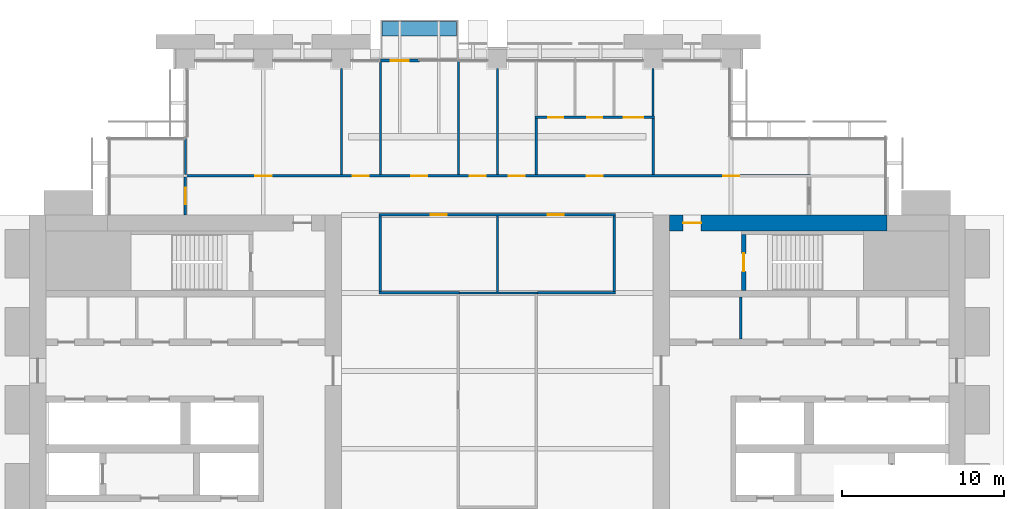
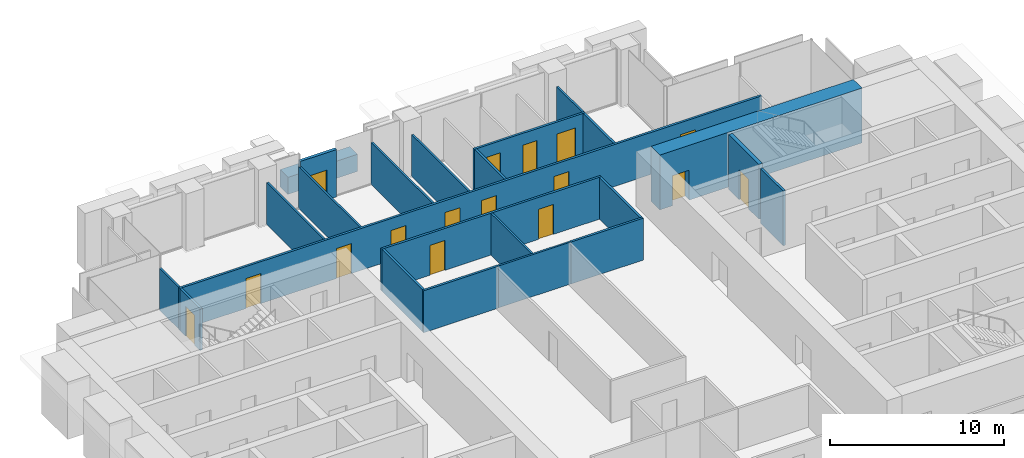
# One storey, part 12 of 15: 23 walls, 16 doors, 16 openings.
"""IFC4 building model written with IfcOpenShell, lengths in metres."""

from ifc_helpers import new_model, si_unit, direction, frame, frame_2d, origin, place, context, subcontext, project, spatial, rectangle, extrude, material, layer, layer_set, type_object, element, fill, save


model = new_model("IFC4")

# Units and contexts
model_context = context("Model", 3, precision=1e-05, world=origin(), true_north=direction((0.0, 1.0)))
body_context = subcontext(model_context, "Body", "Model", "MODEL_VIEW")
ifc_project = project(units=[si_unit("LENGTHUNIT", "METRE"), si_unit("AREAUNIT", "SQUARE_METRE"), si_unit("VOLUMEUNIT", "CUBIC_METRE"), si_unit("PLANEANGLEUNIT", "RADIAN"), si_unit("MASSUNIT", "GRAM", prefix="KILO")], contexts=[model_context])

# Site, building, storey
site_placement = place(None, origin())
site = spatial("IfcSite", under=ifc_project, at=site_placement, CompositionType="ELEMENT")
building_placement = place(site_placement, origin())
building = spatial("IfcBuilding", under=site, at=building_placement, Name="Baori Bourse Tower", CompositionType="ELEMENT")
storey_placement = place(building_placement, frame((0.0, 0.0, 104.10009765625)))
storey = spatial("IfcBuildingStorey", under=building, at=storey_placement, Name="L21", CompositionType="ELEMENT", Elevation=104.10009765625)

# Wall
ifc_material_1 = material(Name="Blockwork partition", Category="masonry")
ifc_layer_1 = layer(ifc_material_1, 0.14990234375)
ifc_layer_set_1 = layer_set([ifc_layer_1], Name="Core partition 150")
wall_type_1 = type_object("IfcWallType", Name="Core partition 150", PredefinedType="PARTITIONING", material=ifc_layer_set_1)
wall_1_placement = place(storey_placement, frame((43.800048828125, 30.75, 0.0), z_axis=(0.0, 0.0, 1.0), x_axis=(0.0, 1.0, 0.0)))
element("IfcWall", 1, at=wall_1_placement, inside=storey, type_object=wall_type_1, Name="Partition wall E25", PredefinedType="PARTITIONING", context=body_context, shape_type="SweptSolid", body=[
    extrude(rectangle(XDim=2.60009765625, YDim=0.14990234375, at=frame_2d((1.300048828125, 0.0))), origin(), (0.0, 0.0, 1.0), 3.83984375),
])

# Wall, opening, door
ifc_material_2 = material(Name="Concrete f'c 60 MPa", Category="concrete")
ifc_layer_2 = layer(ifc_material_2, 1.0)
ifc_layer_set_2 = layer_set([ifc_layer_2], Name="Core wall 1000 f'c 60")
wall_type_2 = type_object("IfcWallType", Name="Core wall 1000 f'c 60", PredefinedType="SHEAR", material=ifc_layer_set_2)
wall_2_placement = place(storey_placement, frame((39.39990234375, 37.89990234375, 0.0), z_axis=(0.0, 0.0, 1.0), x_axis=(1.0, 0.0, 0.0)))
wall_2 = element("IfcWall", 2, at=wall_2_placement, inside=storey, type_object=wall_type_2, Name="Core wall E31", PredefinedType="SHEAR", context=body_context, shape_type="SweptSolid", body=[
    extrude(rectangle(XDim=13.400146484375, YDim=1.0, at=frame_2d((6.7001953125, 0.0))), origin(), (0.0, 0.0, 1.0), 3.83984375),
])
opening_1_placement = place(wall_2_placement, frame((0.85009765625, 0.0, 0.0)))
opening_1 = element("IfcOpeningElement", 3, at=opening_1_placement, cuts=wall_2, Name="Opening L21-D204", PredefinedType="OPENING", context=body_context, shape_type="SweptSolid", body=[
    extrude(rectangle(XDim=1.10009765625, YDim=2.10009765625, at=frame_2d((0.550048828125, 1.050048828125))), frame((0.0, 0.510009765625, 0.0), z_axis=(0.0, -1.0, 0.0), x_axis=(1.0, 0.0, 0.0)), (0.0, 0.0, 1.0), 1.02001953125),
])
ifc_material_3 = material(Name="Painted steel door", Category="steel")
door_type_1 = type_object("IfcDoorType", Name="Stair door 1100", OperationType="SINGLE_SWING_LEFT", PredefinedType="DOOR", material=ifc_material_3)
door_1_placement = place(opening_1_placement, origin())
door_1 = element("IfcDoor", 4, at=door_1_placement, inside=storey, type_object=door_type_1, Name="Stair vestibule door B E L21", OperationType="SINGLE_SWING_LEFT", OverallHeight=2.10009765625, OverallWidth=1.10009765625, PredefinedType="DOOR", context=body_context, shape_type="SweptSolid", body=[
    extrude(rectangle(XDim=1.10009765625, YDim=2.10009765625, at=frame_2d((0.550048828125, 1.050048828125))), frame((0.0, 0.02490234375, 0.0), z_axis=(0.0, -1.0, 0.0), x_axis=(1.0, 0.0, 0.0)), (0.0, 0.0, 1.0), 0.050048828125),
])
fill(opening_1, door_1)

# Walls
ifc_material_4 = material(Name="Gypsum board partition")
ifc_layer_3 = layer(ifc_material_4, 0.14990234375)
ifc_layer_set_3 = layer_set([ifc_layer_3], Name="Corridor partition 150")
wall_type_3 = type_object("IfcWallType", Name="Corridor partition 150", PredefinedType="PARTITIONING", material=ifc_layer_set_3)
wall_3_placement = place(storey_placement, frame((21.52490234375, 33.60009765625, 0.0), z_axis=(0.0, 0.0, 1.0), x_axis=(1.0, 0.0, 0.0)))
element("IfcWall", 5, at=wall_3_placement, inside=storey, type_object=wall_type_3, Name="Partition", PredefinedType="PARTITIONING", context=body_context, shape_type="SweptSolid", body=[
    extrude(rectangle(XDim=4.9501953125, YDim=0.14990234375, at=frame_2d((2.47509765625, 0.0))), origin(), (0.0, 0.0, 1.0), 2.935546875),
])
wall_4_placement = place(storey_placement, frame((31.27490234375, 33.60009765625, 0.0), z_axis=(0.0, 0.0, 1.0), x_axis=(1.0, 0.0, 0.0)))
element("IfcWall", 6, at=wall_4_placement, inside=storey, type_object=wall_type_3, Name="Partition", PredefinedType="PARTITIONING", context=body_context, shape_type="SweptSolid", body=[
    extrude(rectangle(XDim=4.800048828125, YDim=0.14990234375, at=frame_2d((2.39990234375, 0.0))), origin(), (0.0, 0.0, 1.0), 2.935546875),
])

# Wall, openings, doors
wall_5_placement = place(storey_placement, frame((21.52490234375, 38.39990234375, 0.0), z_axis=(0.0, 0.0, 1.0), x_axis=(1.0, 0.0, 0.0)))
wall_5 = element("IfcWall", 7, at=wall_5_placement, inside=storey, type_object=wall_type_3, Name="Partition", PredefinedType="PARTITIONING", context=body_context, shape_type="SweptSolid", body=[
    extrude(rectangle(XDim=14.550048828125, YDim=0.14990234375, at=frame_2d((7.27490234375, 0.0))), origin(), (0.0, 0.0, 1.0), 2.935546875),
])
opening_2_placement = place(wall_5_placement, frame((3.175048828125, 0.0, 0.0)))
opening_2 = element("IfcOpeningElement", 8, at=opening_2_placement, cuts=wall_5, Name="Opening L21-D10", PredefinedType="OPENING", context=body_context, shape_type="SweptSolid", body=[
    extrude(rectangle(XDim=1.0, YDim=2.10009765625, at=frame_2d((0.5, 1.050048828125))), frame((0.0, 0.0849609375, 0.0), z_axis=(0.0, -1.0, 0.0), x_axis=(1.0, 0.0, 0.0)), (0.0, 0.0, 1.0), 0.169921875),
])
opening_3_placement = place(wall_5_placement, frame((10.375, 0.0, 0.0)))
opening_3 = element("IfcOpeningElement", 9, at=opening_3_placement, cuts=wall_5, Name="Opening L21-D11", PredefinedType="OPENING", context=body_context, shape_type="SweptSolid", body=[
    extrude(rectangle(XDim=1.0, YDim=2.10009765625, at=frame_2d((0.5, 1.050048828125))), frame((0.0, 0.0849609375, 0.0), z_axis=(0.0, -1.0, 0.0), x_axis=(1.0, 0.0, 0.0)), (0.0, 0.0, 1.0), 0.169921875),
])
ifc_material_5 = material(Name="Timber door leaf", Category="wood")
door_type_2 = type_object("IfcDoorType", Name="Door 1000 x 2100", OperationType="SINGLE_SWING_LEFT", PredefinedType="DOOR", material=ifc_material_5)
door_2_placement = place(opening_2_placement, origin())
door_2 = element("IfcDoor", 10, at=door_2_placement, inside=storey, type_object=door_type_2, Name="Door", OperationType="SINGLE_SWING_LEFT", OverallHeight=2.10009765625, OverallWidth=1.0, PredefinedType="DOOR", context=body_context, shape_type="SweptSolid", body=[
    extrude(rectangle(XDim=1.0, YDim=2.10009765625, at=frame_2d((0.5, 1.050048828125))), frame((0.0, 0.02490234375, 0.0), z_axis=(0.0, -1.0, 0.0), x_axis=(1.0, 0.0, 0.0)), (0.0, 0.0, 1.0), 0.050048828125),
])
fill(opening_2, door_2)
door_3_placement = place(opening_3_placement, origin())
door_3 = element("IfcDoor", 11, at=door_3_placement, inside=storey, type_object=door_type_2, Name="Door", OperationType="SINGLE_SWING_RIGHT", OverallHeight=2.10009765625, OverallWidth=1.0, PredefinedType="DOOR", context=body_context, shape_type="SweptSolid", body=[
    extrude(rectangle(XDim=1.0, YDim=2.10009765625, at=frame_2d((0.5, 1.050048828125))), frame((0.0, 0.02490234375, 0.0), z_axis=(0.0, -1.0, 0.0), x_axis=(1.0, 0.0, 0.0)), (0.0, 0.0, 1.0), 0.050048828125),
])
fill(opening_3, door_3)

wall_6_placement = place(storey_placement, frame((9.52490234375, 40.800048828125, 0.0), z_axis=(0.0, 0.0, 1.0), x_axis=(1.0, 0.0, 0.0)))
wall_6 = element("IfcWall", 12, at=wall_6_placement, inside=storey, type_object=wall_type_3, Name="Partition", PredefinedType="PARTITIONING", context=body_context, shape_type="SweptSolid", body=[
    extrude(rectangle(XDim=38.550048828125, YDim=0.14990234375, at=frame_2d((19.27490234375, 0.0))), origin(), (0.0, 0.0, 1.0), 2.935546875),
])
opening_4_placement = place(wall_6_placement, frame((4.375, 0.0, 0.0)))
opening_4 = element("IfcOpeningElement", 13, at=opening_4_placement, cuts=wall_6, Name="Opening L21-D12", PredefinedType="OPENING", context=body_context, shape_type="SweptSolid", body=[
    extrude(rectangle(XDim=1.0, YDim=2.10009765625, at=frame_2d((0.5, 1.050048828125))), frame((0.0, 0.0849609375, 0.0), z_axis=(0.0, -1.0, 0.0), x_axis=(1.0, 0.0, 0.0)), (0.0, 0.0, 1.0), 0.169921875),
])
opening_5_placement = place(wall_6_placement, frame((10.375, 0.0, 0.0)))
opening_5 = element("IfcOpeningElement", 14, at=opening_5_placement, cuts=wall_6, Name="Opening L21-D13", PredefinedType="OPENING", context=body_context, shape_type="SweptSolid", body=[
    extrude(rectangle(XDim=1.0, YDim=2.10009765625, at=frame_2d((0.5, 1.050048828125))), frame((0.0, 0.0849609375, 0.0), z_axis=(0.0, -1.0, 0.0), x_axis=(1.0, 0.0, 0.0)), (0.0, 0.0, 1.0), 0.169921875),
])
opening_6_placement = place(wall_6_placement, frame((13.97509765625, 0.0, 0.0)))
opening_6 = element("IfcOpeningElement", 15, at=opening_6_placement, cuts=wall_6, Name="Opening L21-D14", PredefinedType="OPENING", context=body_context, shape_type="SweptSolid", body=[
    extrude(rectangle(XDim=1.0, YDim=2.10009765625, at=frame_2d((0.5, 1.050048828125))), frame((0.0, 0.0849609375, 0.0), z_axis=(0.0, -1.0, 0.0), x_axis=(1.0, 0.0, 0.0)), (0.0, 0.0, 1.0), 0.169921875),
])
opening_7_placement = place(wall_6_placement, frame((17.574951171875, 0.0, 0.0)))
opening_7 = element("IfcOpeningElement", 16, at=opening_7_placement, cuts=wall_6, Name="Opening L21-D15", PredefinedType="OPENING", context=body_context, shape_type="SweptSolid", body=[
    extrude(rectangle(XDim=1.0, YDim=2.10009765625, at=frame_2d((0.5, 1.050048828125))), frame((0.0, 0.0849609375, 0.0), z_axis=(0.0, -1.0, 0.0), x_axis=(1.0, 0.0, 0.0)), (0.0, 0.0, 1.0), 0.169921875),
])
opening_8_placement = place(wall_6_placement, frame((19.97509765625, 0.0, 0.0)))
opening_8 = element("IfcOpeningElement", 17, at=opening_8_placement, cuts=wall_6, Name="Opening L21-D16", PredefinedType="OPENING", context=body_context, shape_type="SweptSolid", body=[
    extrude(rectangle(XDim=1.0, YDim=2.10009765625, at=frame_2d((0.5, 1.050048828125))), frame((0.0, 0.0849609375, 0.0), z_axis=(0.0, -1.0, 0.0), x_axis=(1.0, 0.0, 0.0)), (0.0, 0.0, 1.0), 0.169921875),
])
opening_9_placement = place(wall_6_placement, frame((24.77490234375, 0.0, 0.0)))
opening_9 = element("IfcOpeningElement", 18, at=opening_9_placement, cuts=wall_6, Name="Opening L21-D17", PredefinedType="OPENING", context=body_context, shape_type="SweptSolid", body=[
    extrude(rectangle(XDim=1.0, YDim=2.10009765625, at=frame_2d((0.5, 1.050048828125))), frame((0.0, 0.0849609375, 0.0), z_axis=(0.0, -1.0, 0.0), x_axis=(1.0, 0.0, 0.0)), (0.0, 0.0, 1.0), 0.169921875),
])
opening_10_placement = place(wall_6_placement, frame((33.175048828125, 0.0, 0.0)))
opening_10 = element("IfcOpeningElement", 19, at=opening_10_placement, cuts=wall_6, Name="Opening L21-D18", PredefinedType="OPENING", context=body_context, shape_type="SweptSolid", body=[
    extrude(rectangle(XDim=1.0, YDim=2.10009765625, at=frame_2d((0.5, 1.050048828125))), frame((0.0, 0.0849609375, 0.0), z_axis=(0.0, -1.0, 0.0), x_axis=(1.0, 0.0, 0.0)), (0.0, 0.0, 1.0), 0.169921875),
])
door_4_placement = place(opening_4_placement, origin())
door_4 = element("IfcDoor", 20, at=door_4_placement, inside=storey, type_object=door_type_2, Name="Door", OperationType="SINGLE_SWING_RIGHT", OverallHeight=2.10009765625, OverallWidth=1.0, PredefinedType="DOOR", context=body_context, shape_type="SweptSolid", body=[
    extrude(rectangle(XDim=1.0, YDim=2.10009765625, at=frame_2d((0.5, 1.050048828125))), frame((0.0, 0.02490234375, 0.0), z_axis=(0.0, -1.0, 0.0), x_axis=(1.0, 0.0, 0.0)), (0.0, 0.0, 1.0), 0.050048828125),
])
fill(opening_4, door_4)
door_5_placement = place(opening_5_placement, origin())
door_5 = element("IfcDoor", 21, at=door_5_placement, inside=storey, type_object=door_type_2, Name="Door", OperationType="SINGLE_SWING_RIGHT", OverallHeight=2.10009765625, OverallWidth=1.0, PredefinedType="DOOR", context=body_context, shape_type="SweptSolid", body=[
    extrude(rectangle(XDim=1.0, YDim=2.10009765625, at=frame_2d((0.5, 1.050048828125))), frame((0.0, 0.02490234375, 0.0), z_axis=(0.0, -1.0, 0.0), x_axis=(1.0, 0.0, 0.0)), (0.0, 0.0, 1.0), 0.050048828125),
])
fill(opening_5, door_5)
door_6_placement = place(opening_6_placement, origin())
door_6 = element("IfcDoor", 22, at=door_6_placement, inside=storey, type_object=door_type_2, Name="Door", OperationType="SINGLE_SWING_RIGHT", OverallHeight=2.10009765625, OverallWidth=1.0, PredefinedType="DOOR", context=body_context, shape_type="SweptSolid", body=[
    extrude(rectangle(XDim=1.0, YDim=2.10009765625, at=frame_2d((0.5, 1.050048828125))), frame((0.0, 0.02490234375, 0.0), z_axis=(0.0, -1.0, 0.0), x_axis=(1.0, 0.0, 0.0)), (0.0, 0.0, 1.0), 0.050048828125),
])
fill(opening_6, door_6)
door_7_placement = place(opening_7_placement, origin())
door_7 = element("IfcDoor", 23, at=door_7_placement, inside=storey, type_object=door_type_2, Name="Door", OperationType="SINGLE_SWING_RIGHT", OverallHeight=2.10009765625, OverallWidth=1.0, PredefinedType="DOOR", context=body_context, shape_type="SweptSolid", body=[
    extrude(rectangle(XDim=1.0, YDim=2.10009765625, at=frame_2d((0.5, 1.050048828125))), frame((0.0, 0.02490234375, 0.0), z_axis=(0.0, -1.0, 0.0), x_axis=(1.0, 0.0, 0.0)), (0.0, 0.0, 1.0), 0.050048828125),
])
fill(opening_7, door_7)
door_8_placement = place(opening_8_placement, origin())
door_8 = element("IfcDoor", 24, at=door_8_placement, inside=storey, type_object=door_type_2, Name="Door", OperationType="SINGLE_SWING_LEFT", OverallHeight=2.10009765625, OverallWidth=1.0, PredefinedType="DOOR", context=body_context, shape_type="SweptSolid", body=[
    extrude(rectangle(XDim=1.0, YDim=2.10009765625, at=frame_2d((0.5, 1.050048828125))), frame((0.0, 0.02490234375, 0.0), z_axis=(0.0, -1.0, 0.0), x_axis=(1.0, 0.0, 0.0)), (0.0, 0.0, 1.0), 0.050048828125),
])
fill(opening_8, door_8)
door_9_placement = place(opening_9_placement, origin())
door_9 = element("IfcDoor", 25, at=door_9_placement, inside=storey, type_object=door_type_2, Name="Door", OperationType="SINGLE_SWING_RIGHT", OverallHeight=2.10009765625, OverallWidth=1.0, PredefinedType="DOOR", context=body_context, shape_type="SweptSolid", body=[
    extrude(rectangle(XDim=1.0, YDim=2.10009765625, at=frame_2d((0.5, 1.050048828125))), frame((0.0, 0.02490234375, 0.0), z_axis=(0.0, -1.0, 0.0), x_axis=(1.0, 0.0, 0.0)), (0.0, 0.0, 1.0), 0.050048828125),
])
fill(opening_9, door_9)
door_10_placement = place(opening_10_placement, origin())
door_10 = element("IfcDoor", 26, at=door_10_placement, inside=storey, type_object=door_type_2, Name="Door", OperationType="SINGLE_SWING_LEFT", OverallHeight=2.10009765625, OverallWidth=1.0, PredefinedType="DOOR", context=body_context, shape_type="SweptSolid", body=[
    extrude(rectangle(XDim=1.0, YDim=2.10009765625, at=frame_2d((0.5, 1.050048828125))), frame((0.0, 0.02490234375, 0.0), z_axis=(0.0, -1.0, 0.0), x_axis=(1.0, 0.0, 0.0)), (0.0, 0.0, 1.0), 0.050048828125),
])
fill(opening_10, door_10)

wall_7_placement = place(storey_placement, frame((31.125, 44.39990234375, 0.0), z_axis=(0.0, 0.0, 1.0), x_axis=(1.0, 0.0, 0.0)))
wall_7 = element("IfcWall", 27, at=wall_7_placement, inside=storey, type_object=wall_type_3, Name="Partition", PredefinedType="PARTITIONING", context=body_context, shape_type="SweptSolid", body=[
    extrude(rectangle(XDim=7.35009765625, YDim=0.14990234375, at=frame_2d((3.675048828125, 0.0))), origin(), (0.0, 0.0, 1.0), 2.935546875),
])
opening_11_placement = place(wall_7_placement, frame((0.824951171875, 0.0, 0.0)))
opening_11 = element("IfcOpeningElement", 28, at=opening_11_placement, cuts=wall_7, Name="Opening L21-D19", PredefinedType="OPENING", context=body_context, shape_type="SweptSolid", body=[
    extrude(rectangle(XDim=0.89990234375, YDim=2.10009765625, at=frame_2d((0.449951171875, 1.050048828125))), frame((0.0, 0.0849609375, 0.0), z_axis=(0.0, -1.0, 0.0), x_axis=(1.0, 0.0, 0.0)), (0.0, 0.0, 1.0), 0.169921875),
])
opening_12_placement = place(wall_7_placement, frame((3.22509765625, 0.0, 0.0)))
opening_12 = element("IfcOpeningElement", 29, at=opening_12_placement, cuts=wall_7, Name="Opening L21-D20", PredefinedType="OPENING", context=body_context, shape_type="SweptSolid", body=[
    extrude(rectangle(XDim=0.89990234375, YDim=2.10009765625, at=frame_2d((0.449951171875, 1.050048828125))), frame((0.0, 0.0849609375, 0.0), z_axis=(0.0, -1.0, 0.0), x_axis=(1.0, 0.0, 0.0)), (0.0, 0.0, 1.0), 0.169921875),
])
opening_13_placement = place(wall_7_placement, frame((5.47509765625, 0.0, 0.0)))
opening_13 = element("IfcOpeningElement", 30, at=opening_13_placement, cuts=wall_7, Name="Opening L21-D21", PredefinedType="OPENING", context=body_context, shape_type="SweptSolid", body=[
    extrude(rectangle(XDim=1.199951171875, YDim=2.10009765625, at=frame_2d((0.60009765625, 1.050048828125))), frame((0.0, 0.0849609375, 0.0), z_axis=(0.0, -1.0, 0.0), x_axis=(1.0, 0.0, 0.0)), (0.0, 0.0, 1.0), 0.169921875),
])
ifc_material_6 = material(Name="Timber door leaf", Category="wood")
door_type_3 = type_object("IfcDoorType", Name="Door 1200 x 2100", OperationType="SINGLE_SWING_LEFT", PredefinedType="DOOR", material=ifc_material_6)
door_11_placement = place(opening_13_placement, origin())
door_11 = element("IfcDoor", 31, at=door_11_placement, inside=storey, type_object=door_type_3, Name="Door", OperationType="SINGLE_SWING_LEFT", OverallHeight=2.10009765625, OverallWidth=1.199951171875, PredefinedType="DOOR", context=body_context, shape_type="SweptSolid", body=[
    extrude(rectangle(XDim=1.199951171875, YDim=2.10009765625, at=frame_2d((0.60009765625, 1.050048828125))), frame((0.0, 0.02490234375, 0.0), z_axis=(0.0, -1.0, 0.0), x_axis=(1.0, 0.0, 0.0)), (0.0, 0.0, 1.0), 0.050048828125),
])
fill(opening_13, door_11)
ifc_material_7 = material(Name="Timber door leaf", Category="wood")
door_type_4 = type_object("IfcDoorType", Name="Door 900 x 2100", OperationType="SINGLE_SWING_LEFT", PredefinedType="DOOR", material=ifc_material_7)
door_12_placement = place(opening_11_placement, origin())
door_12 = element("IfcDoor", 32, at=door_12_placement, inside=storey, type_object=door_type_4, Name="Door", OperationType="SINGLE_SWING_RIGHT", OverallHeight=2.10009765625, OverallWidth=0.89990234375, PredefinedType="DOOR", context=body_context, shape_type="SweptSolid", body=[
    extrude(rectangle(XDim=0.89990234375, YDim=2.10009765625, at=frame_2d((0.449951171875, 1.050048828125))), frame((0.0, 0.02490234375, 0.0), z_axis=(0.0, -1.0, 0.0), x_axis=(1.0, 0.0, 0.0)), (0.0, 0.0, 1.0), 0.050048828125),
])
fill(opening_11, door_12)
door_13_placement = place(opening_12_placement, origin())
door_13 = element("IfcDoor", 33, at=door_13_placement, inside=storey, type_object=door_type_4, Name="Door", OperationType="SINGLE_SWING_RIGHT", OverallHeight=2.10009765625, OverallWidth=0.89990234375, PredefinedType="DOOR", context=body_context, shape_type="SweptSolid", body=[
    extrude(rectangle(XDim=0.89990234375, YDim=2.10009765625, at=frame_2d((0.449951171875, 1.050048828125))), frame((0.0, 0.02490234375, 0.0), z_axis=(0.0, -1.0, 0.0), x_axis=(1.0, 0.0, 0.0)), (0.0, 0.0, 1.0), 0.050048828125),
])
fill(opening_12, door_13)

# Wall, opening, door
wall_8_placement = place(storey_placement, frame((9.60009765625, 38.39990234375, 0.0), z_axis=(0.0, 0.0, 1.0), x_axis=(0.0, 1.0, 0.0)))
wall_8 = element("IfcWall", 34, at=wall_8_placement, inside=storey, type_object=wall_type_3, Name="Partition", PredefinedType="PARTITIONING", context=body_context, shape_type="SweptSolid", body=[
    extrude(rectangle(XDim=2.3251953125, YDim=0.14990234375, at=frame_2d((1.16259765625, 0.0))), origin(), (0.0, 0.0, 1.0), 2.935546875),
])
opening_14_placement = place(wall_8_placement, frame((0.66259765625, 0.0, 0.0)))
opening_14 = element("IfcOpeningElement", 35, at=opening_14_placement, cuts=wall_8, Name="Opening L21-D22", PredefinedType="OPENING", context=body_context, shape_type="SweptSolid", body=[
    extrude(rectangle(XDim=1.0, YDim=2.10009765625, at=frame_2d((0.5, 1.050048828125))), frame((0.0, 0.0849609375, 0.0), z_axis=(0.0, -1.0, 0.0), x_axis=(1.0, 0.0, 0.0)), (0.0, 0.0, 1.0), 0.169921875),
])
door_14_placement = place(opening_14_placement, origin())
door_14 = element("IfcDoor", 36, at=door_14_placement, inside=storey, type_object=door_type_2, Name="Door", OperationType="SINGLE_SWING_RIGHT", OverallHeight=2.10009765625, OverallWidth=1.0, PredefinedType="DOOR", context=body_context, shape_type="SweptSolid", body=[
    extrude(rectangle(XDim=1.0, YDim=2.10009765625, at=frame_2d((0.5, 1.050048828125))), frame((0.0, 0.02490234375, 0.0), z_axis=(0.0, -1.0, 0.0), x_axis=(1.0, 0.0, 0.0)), (0.0, 0.0, 1.0), 0.050048828125),
])
fill(opening_14, door_14)

# Walls
wall_9_placement = place(storey_placement, frame((21.60009765625, 33.675048828125, 0.0), z_axis=(0.0, 0.0, 1.0), x_axis=(0.0, 1.0, 0.0)))
element("IfcWall", 37, at=wall_9_placement, inside=storey, type_object=wall_type_3, Name="Partition", PredefinedType="PARTITIONING", context=body_context, shape_type="SweptSolid", body=[
    extrude(rectangle(XDim=4.64990234375, YDim=0.14990234375, at=frame_2d((2.324951171875, 0.0))), origin(), (0.0, 0.0, 1.0), 2.935546875),
])
wall_10_placement = place(storey_placement, frame((31.199951171875, 40.875, 0.0), z_axis=(0.0, 0.0, 1.0), x_axis=(0.0, 1.0, 0.0)))
element("IfcWall", 38, at=wall_10_placement, inside=storey, type_object=wall_type_3, Name="Partition", PredefinedType="PARTITIONING", context=body_context, shape_type="SweptSolid", body=[
    extrude(rectangle(XDim=3.449951171875, YDim=0.14990234375, at=frame_2d((1.72509765625, 0.0))), origin(), (0.0, 0.0, 1.0), 2.935546875),
])
wall_11_placement = place(storey_placement, frame((36.0, 33.675048828125, 0.0), z_axis=(0.0, 0.0, 1.0), x_axis=(0.0, 1.0, 0.0)))
element("IfcWall", 39, at=wall_11_placement, inside=storey, type_object=wall_type_3, Name="Partition", PredefinedType="PARTITIONING", context=body_context, shape_type="SweptSolid", body=[
    extrude(rectangle(XDim=4.64990234375, YDim=0.14990234375, at=frame_2d((2.324951171875, 0.0))), origin(), (0.0, 0.0, 1.0), 2.935546875),
])
wall_12_placement = place(storey_placement, frame((38.39990234375, 40.875, 0.0), z_axis=(0.0, 0.0, 1.0), x_axis=(0.0, 1.0, 0.0)))
element("IfcWall", 40, at=wall_12_placement, inside=storey, type_object=wall_type_3, Name="Partition", PredefinedType="PARTITIONING", context=body_context, shape_type="SweptSolid", body=[
    extrude(rectangle(XDim=3.449951171875, YDim=0.14990234375, at=frame_2d((1.72509765625, 0.0))), origin(), (0.0, 0.0, 1.0), 2.935546875),
])

# Wall, opening, door
ifc_material_8 = material(Name="Pale anodised aluminium", Category="aluminium")
ifc_layer_4 = layer(ifc_material_8, 0.199951171875)
ifc_layer_set_4 = layer_set([ifc_layer_4], Name="EW1 External wall bay")
wall_type_4 = type_object("IfcWallType", Name="EW1 External wall bay", PredefinedType="SOLIDWALL", material=ifc_layer_set_4)
wall_13_placement = place(storey_placement, frame((24.0, 47.89990234375, 0.0), z_axis=(0.0, 0.0, 1.0), x_axis=(-1.0, 0.0, 0.0)))
wall_13 = element("IfcWall", 41, at=wall_13_placement, inside=storey, type_object=wall_type_4, Name="External wall bay L21 1", PredefinedType="SOLIDWALL", context=body_context, shape_type="SweptSolid", body=[
    extrude(rectangle(XDim=2.39990234375, YDim=0.199951171875, at=frame_2d((1.199951171875, 0.0))), origin(), (0.0, 0.0, 1.0), 3.314208984375),
])
opening_15_placement = place(wall_13_placement, frame((0.64990234375, 0.0, 0.0)))
opening_15 = element("IfcOpeningElement", 42, at=opening_15_placement, cuts=wall_13, Name="Opening L21-D91", PredefinedType="OPENING", context=body_context, shape_type="SweptSolid", body=[
    extrude(rectangle(XDim=1.10009765625, YDim=2.10009765625, at=frame_2d((0.550048828125, 1.050048828125))), frame((0.0, 0.10986328125, 0.0), z_axis=(0.0, -1.0, 0.0), x_axis=(1.0, 0.0, 0.0)), (0.0, 0.0, 1.0), 0.219970703125),
])
ifc_material_9 = material(Name="Pale anodised aluminium", Category="aluminium")
door_type_5 = type_object("IfcDoorType", Name="BL1 Balcony door", OperationType="SINGLE_SWING_LEFT", PredefinedType="DOOR", material=ifc_material_9)
door_15_placement = place(opening_15_placement, origin())
door_15 = element("IfcDoor", 43, at=door_15_placement, inside=storey, type_object=door_type_5, Name="Balcony door L21 1", OperationType="SINGLE_SWING_LEFT", OverallHeight=2.10009765625, OverallWidth=1.10009765625, PredefinedType="DOOR", context=body_context, shape_type="SweptSolid", body=[
    extrude(rectangle(XDim=1.10009765625, YDim=2.10009765625, at=frame_2d((0.550048828125, 1.050048828125))), frame((0.0, 0.02490234375, 0.0), z_axis=(0.0, -1.0, 0.0), x_axis=(1.0, 0.0, 0.0)), (0.0, 0.0, 1.0), 0.050048828125),
])
fill(opening_15, door_15)

# Walls
ifc_material_10 = material(Name="Concrete f'c 40 MPa", Category="concrete")
ifc_layer_5 = layer(ifc_material_10, 0.89990234375)
ifc_layer_set_5 = layer_set([ifc_layer_5], Name="PW1 Planter wall")
wall_type_5 = type_object("IfcWallType", Name="PW1 Planter wall", PredefinedType="USERDEFINED", material=ifc_layer_set_5)
wall_14_placement = place(storey_placement, frame((21.699951171875, 49.85009765625, 0.0), z_axis=(0.0, 0.0, 1.0), x_axis=(1.0, 0.0, 0.0)))
element("IfcWall", 44, at=wall_14_placement, inside=storey, type_object=wall_type_5, Name="Planter balcony N L21 2", ObjectType="PLANTER", PredefinedType="USERDEFINED", context=body_context, shape_type="SweptSolid", body=[
    extrude(rectangle(XDim=4.60009765625, YDim=0.89990234375, at=frame_2d((2.300048828125, 0.0))), origin(), (0.0, 0.0, 1.0), 1.199951171875),
])
ifc_material_11 = material(Name="Gypsum board partition")
ifc_layer_6 = layer(ifc_material_11, 0.125)
ifc_layer_set_6 = layer_set([ifc_layer_6], Name="Partition 125")
wall_type_6 = type_object("IfcWallType", Name="Partition 125", PredefinedType="PARTITIONING", material=ifc_layer_set_6)
wall_15_placement = place(storey_placement, frame((26.47509765625, 33.60009765625, 0.0), z_axis=(0.0, 0.0, 1.0), x_axis=(1.0, 0.0, 0.0)))
element("IfcWall", 45, at=wall_15_placement, inside=storey, type_object=wall_type_6, Name="Partition", PredefinedType="PARTITIONING", context=body_context, shape_type="SweptSolid", body=[
    extrude(rectangle(XDim=4.7998046875, YDim=0.125, at=frame_2d((2.39990234375, 0.0))), origin(), (0.0, 0.0, 1.0), 2.935546875),
])
wall_16_placement = place(storey_placement, frame((9.60009765625, 40.875, 0.0), z_axis=(0.0, 0.0, 1.0), x_axis=(0.0, 1.0, 0.0)))
element("IfcWall", 46, at=wall_16_placement, inside=storey, type_object=wall_type_6, Name="Partition", PredefinedType="PARTITIONING", context=body_context, shape_type="SweptSolid", body=[
    extrude(rectangle(XDim=2.22509765625, YDim=0.125, at=frame_2d((1.112548828125, 0.0))), origin(), (0.0, 0.0, 1.0), 2.935546875),
])
wall_17_placement = place(storey_placement, frame((19.199951171875, 40.875, 0.0), z_axis=(0.0, 0.0, 1.0), x_axis=(0.0, 1.0, 0.0)))
element("IfcWall", 47, at=wall_17_placement, inside=storey, type_object=wall_type_6, Name="Partition", PredefinedType="PARTITIONING", context=body_context, shape_type="SweptSolid", body=[
    extrude(rectangle(XDim=6.52490234375, YDim=0.125, at=frame_2d((3.262451171875, 0.0))), origin(), (0.0, 0.0, 1.0), 2.935546875),
])
for number, where, z_axis, x_axis, name in (
    (48, (21.60009765625, 40.875, 0.0), (0.0, 0.0, 1.0), (0.0, 1.0, 0.0), "Partition"),
    (49, (26.39990234375, 40.875, 0.0), (0.0, 0.0, 1.0), (0.0, 1.0, 0.0), "Partition"),
):
    element("IfcWall", number, at=place(storey_placement, frame(where, z_axis=z_axis, x_axis=x_axis)), inside=storey, type_object=wall_type_6, Name=name, PredefinedType="PARTITIONING", context=body_context, shape_type="SweptSolid", body=[
        extrude(rectangle(XDim=7.02490234375, YDim=0.125, at=frame_2d((3.512451171875, 0.0))), origin(), (0.0, 0.0, 1.0), 2.935546875),
    ])
wall_18_placement = place(storey_placement, frame((28.800048828125, 33.66259765625, 0.0), z_axis=(0.0, 0.0, 1.0), x_axis=(0.0, 1.0, 0.0)))
element("IfcWall", 50, at=wall_18_placement, inside=storey, type_object=wall_type_6, Name="Partition", PredefinedType="PARTITIONING", context=body_context, shape_type="SweptSolid", body=[
    extrude(rectangle(XDim=4.662353515625, YDim=0.125, at=frame_2d((2.3310546875, 0.0))), origin(), (0.0, 0.0, 1.0), 2.935546875),
])
wall_19_placement = place(storey_placement, frame((28.800048828125, 40.875, 0.0), z_axis=(0.0, 0.0, 1.0), x_axis=(0.0, 1.0, 0.0)))
element("IfcWall", 51, at=wall_19_placement, inside=storey, type_object=wall_type_6, Name="Partition", PredefinedType="PARTITIONING", context=body_context, shape_type="SweptSolid", body=[
    extrude(rectangle(XDim=6.52490234375, YDim=0.125, at=frame_2d((3.262451171875, 0.0))), origin(), (0.0, 0.0, 1.0), 2.935546875),
])
wall_20_placement = place(storey_placement, frame((38.39990234375, 44.47509765625, 0.0), z_axis=(0.0, 0.0, 1.0), x_axis=(0.0, 1.0, 0.0)))
element("IfcWall", 52, at=wall_20_placement, inside=storey, type_object=wall_type_6, Name="Partition", PredefinedType="PARTITIONING", context=body_context, shape_type="SweptSolid", body=[
    extrude(rectangle(XDim=2.9248046875, YDim=0.125, at=frame_2d((1.46240234375, 0.0))), origin(), (0.0, 0.0, 1.0), 2.935546875),
])

# Wall, opening, door
ifc_material_12 = material(Name="Concrete f'c 60 MPa", Category="concrete")
ifc_layer_7 = layer(ifc_material_12, 0.25)
ifc_layer_set_7 = layer_set([ifc_layer_7], Name="Shaft wall 250 f'c 60")
wall_type_7 = type_object("IfcWallType", Name="Shaft wall 250 f'c 60", PredefinedType="SHEAR", material=ifc_layer_set_7)
wall_21_placement = place(storey_placement, frame((43.97509765625, 33.75, 0.0), z_axis=(0.0, 0.0, 1.0), x_axis=(0.0, 1.0, 0.0)))
wall_21 = element("IfcWall", 53, at=wall_21_placement, inside=storey, type_object=wall_type_7, Name="Core wall E28", PredefinedType="SHEAR", context=body_context, shape_type="SweptSolid", body=[
    extrude(rectangle(XDim=3.449951171875, YDim=0.25, at=frame_2d((1.72509765625, 0.0))), origin(), (0.0, 0.0, 1.0), 3.83984375),
])
opening_16_placement = place(wall_21_placement, frame((1.175048828125, 0.0, 0.0)))
opening_16 = element("IfcOpeningElement", 54, at=opening_16_placement, cuts=wall_21, Name="Opening L21-D203", PredefinedType="OPENING", context=body_context, shape_type="SweptSolid", body=[
    extrude(rectangle(XDim=1.10009765625, YDim=2.10009765625, at=frame_2d((0.550048828125, 1.050048828125))), frame((0.0, 0.135009765625, 0.0), z_axis=(0.0, -1.0, 0.0), x_axis=(1.0, 0.0, 0.0)), (0.0, 0.0, 1.0), 0.27001953125),
])
door_16_placement = place(opening_16_placement, origin())
door_16 = element("IfcDoor", 55, at=door_16_placement, inside=storey, type_object=door_type_1, Name="Stair door B E L21", OperationType="SINGLE_SWING_LEFT", OverallHeight=2.10009765625, OverallWidth=1.10009765625, PredefinedType="DOOR", context=body_context, shape_type="SweptSolid", body=[
    extrude(rectangle(XDim=1.10009765625, YDim=2.10009765625, at=frame_2d((0.550048828125, 1.050048828125))), frame((0.0, 0.02490234375, 0.0), z_axis=(0.0, -1.0, 0.0), x_axis=(1.0, 0.0, 0.0)), (0.0, 0.0, 1.0), 0.050048828125),
])
fill(opening_16, door_16)

save(model, "model.ifc")
